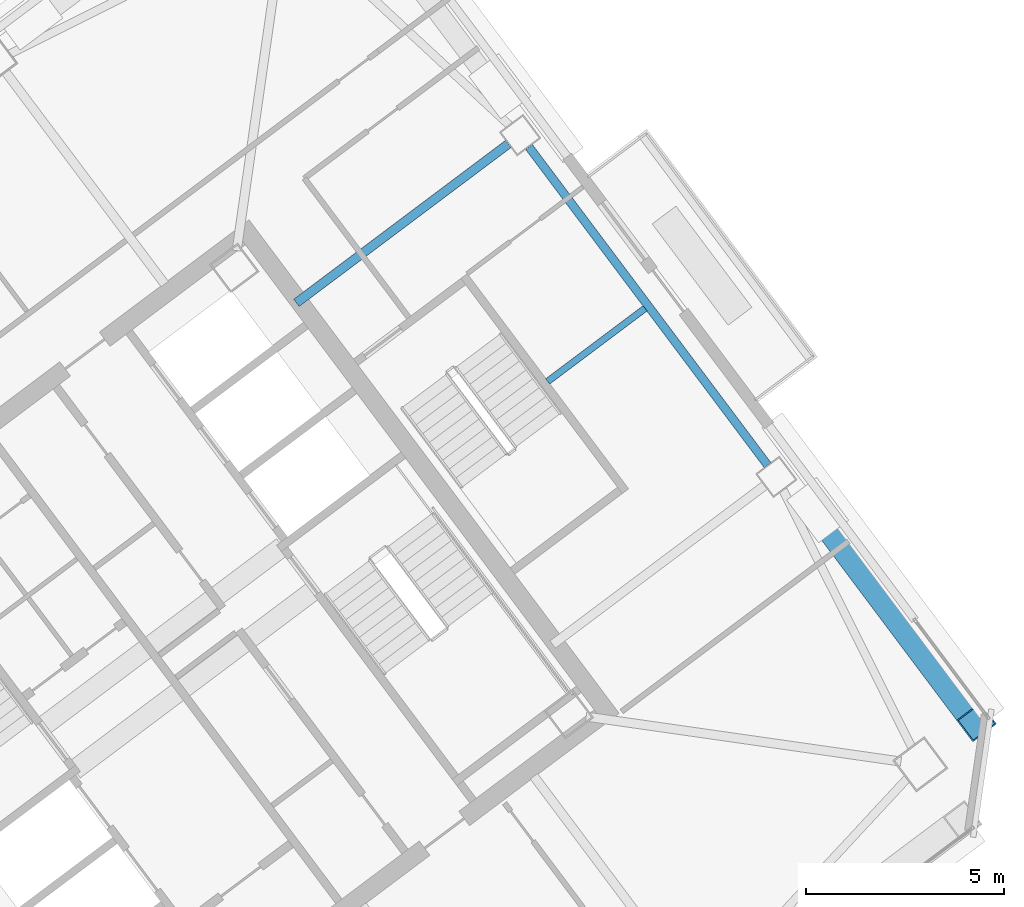
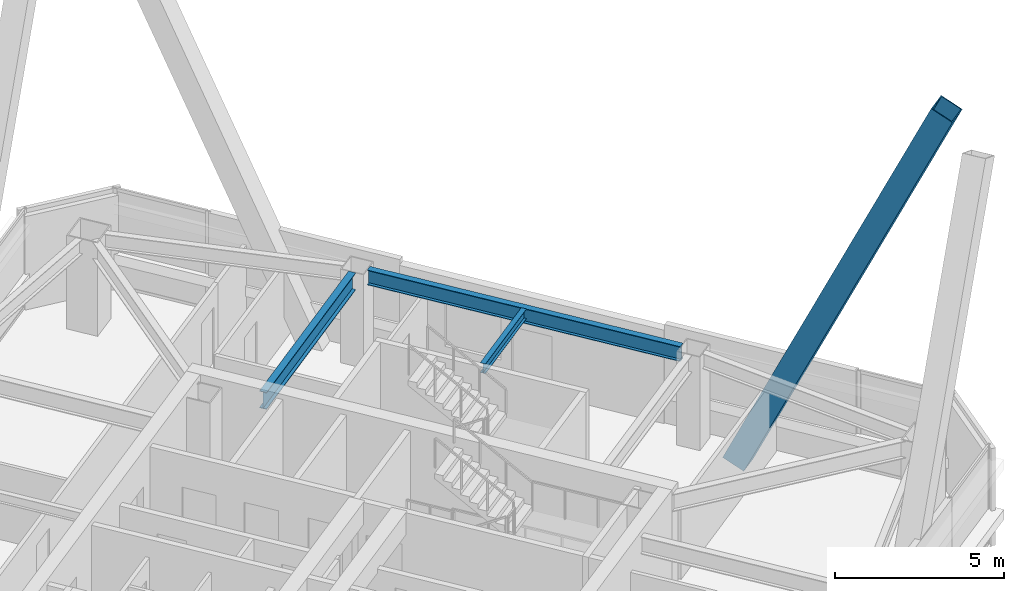
# One storey, part 38 of 56: 3 beams, 1 member.
"""IFC4 building model written with IfcOpenShell, lengths in metres."""

from ifc_helpers import new_model, si_unit, direction, frame, origin, origin_2d, place, context, subcontext, project, spatial, hollow_rectangle, i_section, extrude, material, material_profile, profile_set, type_object, element, save


model = new_model("IFC4")

# Units and contexts
model_context = context("Model", 3, precision=1e-05, world=origin(), true_north=direction((0.0, 1.0)))
body_context = subcontext(model_context, "Body", "Model", "MODEL_VIEW")
ifc_project = project(units=[si_unit("LENGTHUNIT", "METRE"), si_unit("AREAUNIT", "SQUARE_METRE"), si_unit("VOLUMEUNIT", "CUBIC_METRE"), si_unit("PLANEANGLEUNIT", "RADIAN"), si_unit("MASSUNIT", "GRAM", prefix="KILO")], contexts=[model_context])

# Site, building, storey
site_placement = place(None, origin())
site = spatial("IfcSite", under=ifc_project, at=site_placement, CompositionType="ELEMENT")
building_placement = place(site_placement, origin())
building = spatial("IfcBuilding", under=site, at=building_placement, Name="Tashvorn Skyway Center", CompositionType="ELEMENT")
storey_placement = place(building_placement, frame((0.0, 0.0, 218.39990234375)))
storey = spatial("IfcBuildingStorey", under=building, at=storey_placement, Name="L59", CompositionType="ELEMENT", Elevation=218.39990234375)

# Beams
ifc_material_1 = material(Name="Steel ASTM A992 Grade 50", Category="steel")
ifc_material_profile_1 = material_profile(ifc_material_1, i_section(OverallWidth=0.22998046875, OverallDepth=0.616943359375, WebThickness=0.01318359375, FlangeThickness=0.022216796875, at=origin_2d()), Name="W24X94")
ifc_profile_set_1 = profile_set([ifc_material_profile_1], Name="Steel ASTM A992 Grade 50")
beam_type_1 = type_object("IfcBeamType", Name="BM-BEAM-W24X94", PredefinedType="BEAM", material=ifc_profile_set_1)
beam_1_placement = place(storey_placement, frame((122.343994140625, 45.008056640625, 3.0615234375), z_axis=(-0.800004372583, -0.599994169845, 0.0), x_axis=(0.599994169845, -0.800004372583, 0.0)))
element("IfcBeam", 1, at=beam_1_placement, inside=storey, type_object=beam_type_1, Name="Tower 2 L59 Primary Floor Girder FC-E2", PredefinedType="BEAM", context=body_context, shape_type="SweptSolid", body=[
    extrude(i_section(OverallWidth=0.22998046875, OverallDepth=0.616943359375, WebThickness=0.01318359375, FlangeThickness=0.022216796875, at=origin_2d()), origin(), (0.0, 0.0, 1.0), 6.7001953125),
])
ifc_material_profile_2 = material_profile(ifc_material_1, i_section(OverallWidth=0.1708984375, OverallDepth=0.35498046875, WebThickness=0.007080078125, FlangeThickness=0.01171875, at=origin_2d()), Name="W14X34")
ifc_profile_set_2 = profile_set([ifc_material_profile_2], Name="Steel ASTM A992 Grade 50")
beam_type_2 = type_object("IfcBeamType", Name="BM-JOIST-W14X34", PredefinedType="JOIST", material=ifc_profile_set_2)
beam_2_placement = place(storey_placement, frame((123.3359375, 39.001953125, 3.192626953125), z_axis=(0.799990496003, 0.600012671787, 0.0), x_axis=(-0.600012671787, 0.799990496003, 0.0)))
element("IfcBeam", 2, at=beam_2_placement, inside=storey, type_object=beam_type_2, Name="Tower 2 L59 Secondary Composite Joist JE", PredefinedType="JOIST", context=body_context, shape_type="SweptSolid", body=[
    extrude(i_section(OverallWidth=0.1708984375, OverallDepth=0.35498046875, WebThickness=0.007080078125, FlangeThickness=0.01171875, at=origin_2d()), origin(), (0.0, 0.0, 1.0), 3.08251953125),
])
ifc_material_profile_3 = material_profile(ifc_material_1, i_section(OverallWidth=0.2109375, OverallDepth=0.5390625, WebThickness=0.01171875, FlangeThickness=0.018798828125, at=origin_2d()), Name="W21X73")
ifc_profile_set_3 = profile_set([ifc_material_profile_3], Name="Steel ASTM A992 Grade 50")
beam_type_3 = type_object("IfcBeamType", Name="BM-SPANDREL-W21X73", PredefinedType="SPANDREL", material=ifc_profile_set_3)
beam_3_placement = place(storey_placement, frame((128.89794921875, 36.885986328125, 3.1005859375), z_axis=(-0.599988351091, 0.800008736549, 0.0), x_axis=(-0.800008736549, -0.599988351091, 0.0)))
element("IfcBeam", 3, at=beam_3_placement, inside=storey, type_object=beam_type_3, Name="Tower 2 L59 Spandrel Beam 05", PredefinedType="SPANDREL", context=body_context, shape_type="SweptSolid", body=[
    extrude(i_section(OverallWidth=0.2109375, OverallDepth=0.5390625, WebThickness=0.01171875, FlangeThickness=0.018798828125, at=origin_2d()), origin(), (0.0, 0.0, 1.0), 10.06005859375),
])

# Member
ifc_material_2 = material(Name="Steel ASTM A572 Grade 50", Category="steel")
ifc_material_profile_4 = material_profile(ifc_material_2, hollow_rectangle(XDim=0.75, YDim=0.75, WallThickness=0.031982421875, at=origin_2d()), Name="BOX750x750x32")
ifc_profile_set_4 = profile_set([ifc_material_profile_4], Name="Steel ASTM A572 Grade 50")
member_type = type_object("IfcMemberType", Name="MEM-MB-750", PredefinedType="BRACE", material=ifc_profile_set_4)
member_placement = place(storey_placement, frame((130.1640625, 35.748046875, -0.449951171875), z_axis=(0.252820168596, -0.337098676152, 0.906888330991), x_axis=(0.800004372583, 0.599994169845, 0.0)))
element("IfcMember", 4, at=member_placement, inside=storey, type_object=member_type, Name="Tower 2 Zone 5 E Chevron Mega-Brace L2", PredefinedType="BRACE", context=body_context, shape_type="SweptSolid", body=[
    extrude(hollow_rectangle(XDim=0.75, YDim=0.75, WallThickness=0.031982421875, at=origin_2d()), origin(), (0.0, 0.0, 1.0), 15.900634765625),
])

save(model, "model.ifc")
